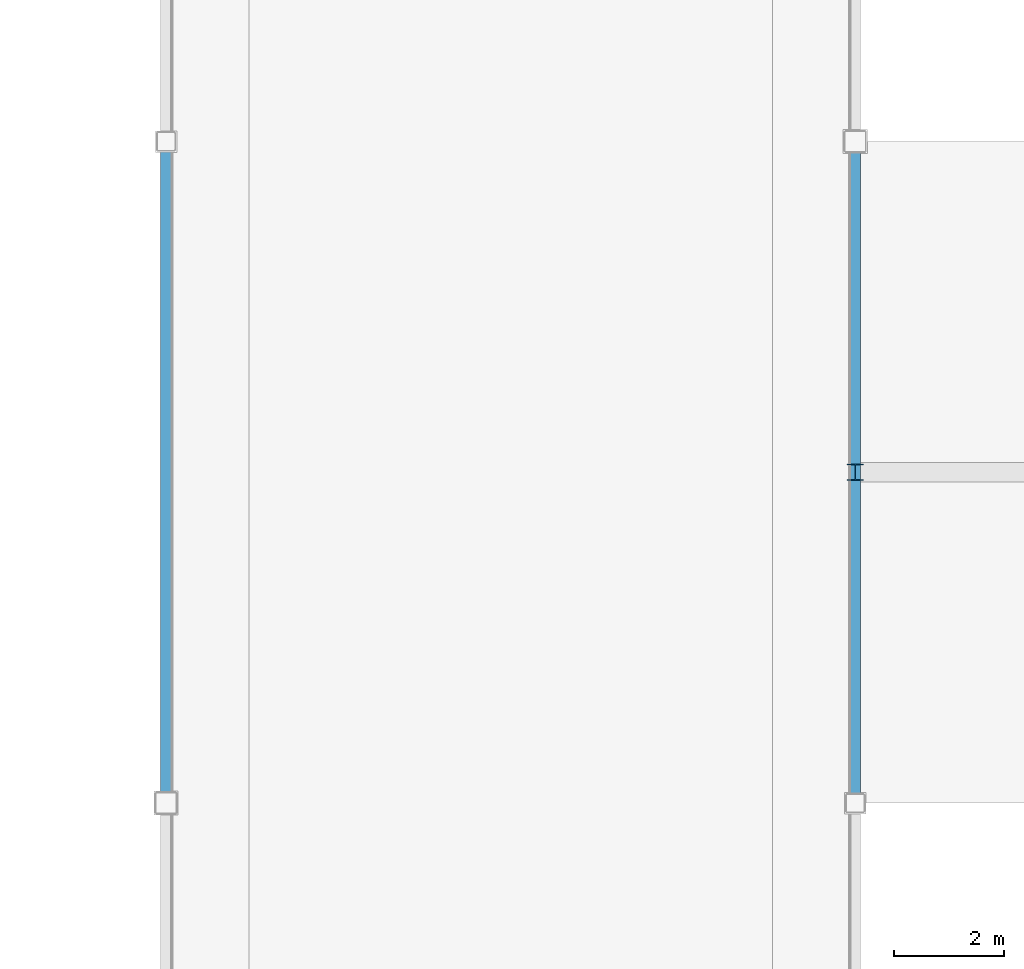
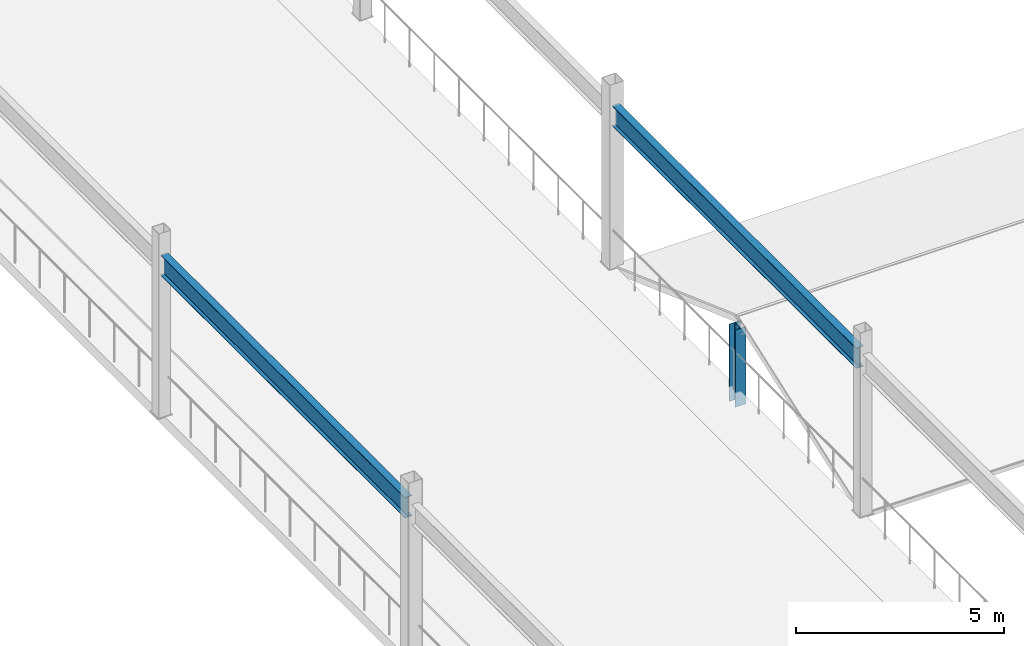
# One storey, part 47 of 105: 2 beams, 1 member.
"""IFC4 building model written with IfcOpenShell, lengths in metres."""

from ifc_helpers import new_model, si_unit, direction, frame, origin, origin_2d, place, context, subcontext, project, spatial, i_section, extrude, material, material_profile, profile_set, type_object, element, save


model = new_model("IFC4")

# Units and contexts
model_context = context("Model", 3, precision=1e-05, world=origin(), true_north=direction((0.0, 1.0)))
body_context = subcontext(model_context, "Body", "Model", "MODEL_VIEW")
ifc_project = project(units=[si_unit("LENGTHUNIT", "METRE"), si_unit("AREAUNIT", "SQUARE_METRE"), si_unit("VOLUMEUNIT", "CUBIC_METRE"), si_unit("PLANEANGLEUNIT", "RADIAN"), si_unit("MASSUNIT", "GRAM", prefix="KILO")], contexts=[model_context])

# Site, building, storey
site_placement = place(None, origin())
site = spatial("IfcSite", under=ifc_project, at=site_placement, CompositionType="ELEMENT")
building_placement = place(site_placement, origin())
building = spatial("IfcBuilding", under=site, at=building_placement, Name="Kazenohara Klinker Stadium", CompositionType="ELEMENT")
storey_placement = place(building_placement, frame((0.0, 0.0, 20.39990234375)))
storey = spatial("IfcBuildingStorey", under=building, at=storey_placement, Name="L04", CompositionType="ELEMENT", Elevation=20.39990234375)

# Beams
ifc_material = material(Name="Steel S355", Category="steel")
ifc_material_profile_1 = material_profile(ifc_material, i_section(OverallWidth=0.199951171875, OverallDepth=0.60009765625, WebThickness=0.010986328125, FlangeThickness=0.01708984375, FilletRadius=0.012939453125, at=origin_2d()), Name="H-600x200x11x17")
ifc_profile_set_1 = profile_set([ifc_material_profile_1], Name="Steel S355")
beam_type = type_object("IfcBeamType", Name="BM-ST04", PredefinedType="BEAM", material=ifc_profile_set_1)
for number, where, z_axis, x_axis, name in (
    (1, (175.0, 96.139892578125, 4.4501953125), (0.0, 1.0, 0.0), (-1.0, 0.0, 0.0), "Canopy tie girder SB04 L04 15/J"),
    (2, (187.5, 96.139892578125, 4.4501953125), (0.0, 1.0, 0.0), (-1.0, 0.0, 0.0), "Canopy tie girder SB04 L04 16/J"),
):
    element("IfcBeam", number, at=place(storey_placement, frame(where, z_axis=z_axis, x_axis=x_axis)), inside=storey, type_object=beam_type, Name=name, PredefinedType="BEAM", context=body_context, shape_type="SweptSolid", body=[
        extrude(i_section(OverallWidth=0.199951171875, OverallDepth=0.60009765625, WebThickness=0.010986328125, FlangeThickness=0.01708984375, FilletRadius=0.012939453125, at=origin_2d()), origin(), (0.0, 0.0, 1.0), 11.72021484375),
    ])

# Member
ifc_material_profile_2 = material_profile(ifc_material, i_section(OverallWidth=0.300048828125, OverallDepth=0.300048828125, WebThickness=0.010009765625, FlangeThickness=0.014892578125, FilletRadius=0.012939453125, at=origin_2d()), Name="H-300x300x10x15")
ifc_profile_set_2 = profile_set([ifc_material_profile_2], Name="Steel S355")
member_type = type_object("IfcMemberType", Name="MEM-STR01", PredefinedType="STRUT", material=ifc_profile_set_2)
member_placement = place(storey_placement, frame((187.5, 102.0, -0.429931640625), z_axis=(0.0, 0.0, 1.0), x_axis=(1.0, 0.0, 0.0)))
element("IfcMember", 3, at=member_placement, inside=storey, type_object=member_type, Name="Stepped pavilion gable king-post L04 16/J W", PredefinedType="STRUT", context=body_context, shape_type="SweptSolid", body=[
    extrude(i_section(OverallWidth=0.300048828125, OverallDepth=0.300048828125, WebThickness=0.010009765625, FlangeThickness=0.014892578125, FilletRadius=0.012939453125, at=origin_2d()), origin(), (0.0, 0.0, 1.0), 2.260009765625),
])

save(model, "model.ifc")
